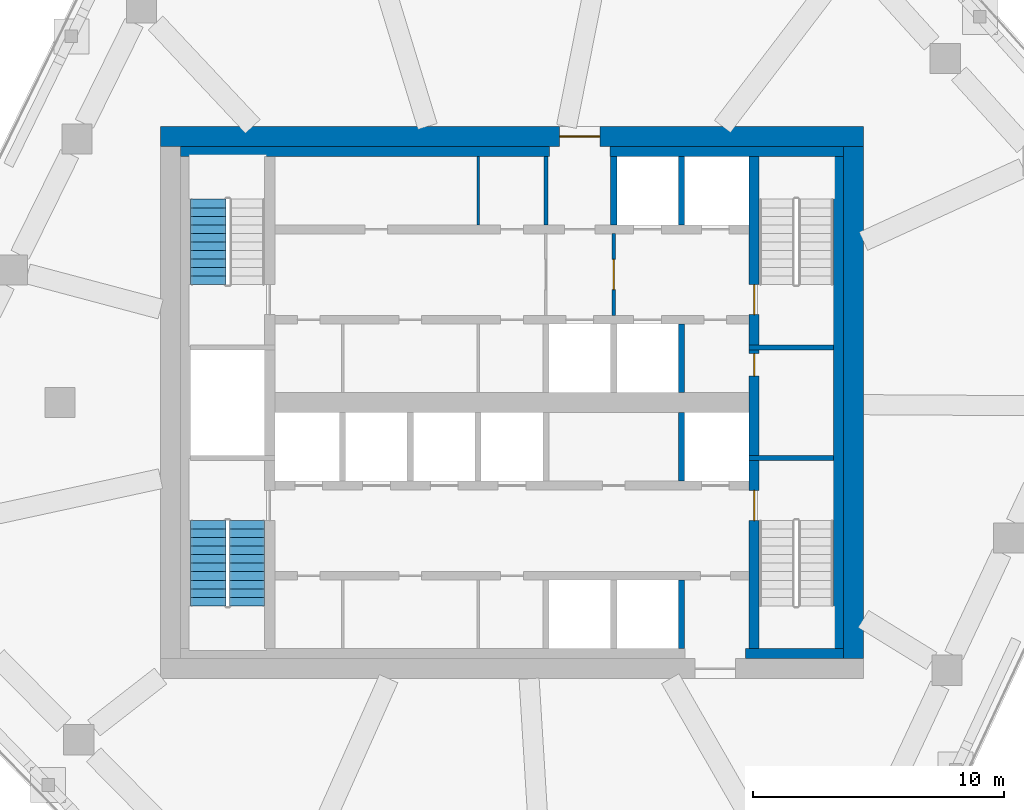
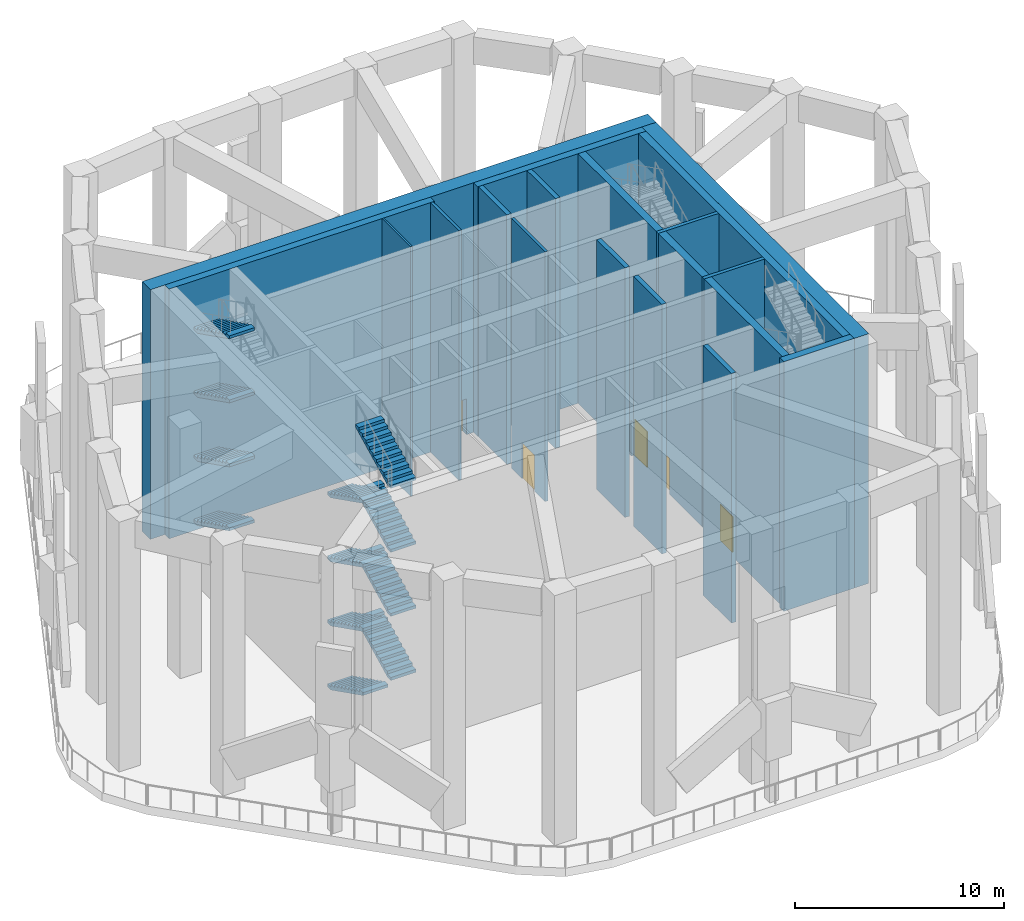
# One storey, part 4 of 12: 19 walls, 12 stair flights, 5 doors, 5 openings, 2 elements without a shape of their own.
"""IFC4 building model written with IfcOpenShell, lengths in metres."""

from ifc_helpers import new_model, si_unit, direction, frame, frame_2d, origin, place, context, subcontext, project, spatial, polyline, rectangle, outline, extrude, material, layer, layer_set, type_object, element, fill, aggregate, save


model = new_model("IFC4")

# Units and contexts
model_context = context("Model", 3, precision=1e-05, world=origin(), true_north=direction((0.0, 1.0)))
body_context = subcontext(model_context, "Body", "Model", "MODEL_VIEW")
ifc_project = project(units=[si_unit("LENGTHUNIT", "METRE"), si_unit("AREAUNIT", "SQUARE_METRE"), si_unit("VOLUMEUNIT", "CUBIC_METRE"), si_unit("PLANEANGLEUNIT", "RADIAN"), si_unit("MASSUNIT", "GRAM", prefix="KILO")], contexts=[model_context])

# Site, building, storey
site_placement = place(None, origin())
site = spatial("IfcSite", under=ifc_project, at=site_placement, CompositionType="ELEMENT")
building_placement = place(site_placement, origin())
building = spatial("IfcBuilding", under=site, at=building_placement, Name="Dongbaek Canopy Tower", CompositionType="ELEMENT")
storey_placement = place(building_placement, frame((0.0, 0.0, 183.800048828125)))
storey = spatial("IfcBuildingStorey", under=building, at=storey_placement, Name="L40", CompositionType="ELEMENT", Elevation=183.800048828125)

# Wall, opening, door
ifc_material_1 = material(Name="Concrete C70/85", Category="concrete")
ifc_layer_1 = layer(ifc_material_1, 0.800048828125)
ifc_layer_set_1 = layer_set([ifc_layer_1], Name="Core outer wall 800 Concrete C70/85")
wall_type_1 = type_object("IfcWallType", Name="Core outer wall 800 Concrete C70/85", PredefinedType="SHEAR", material=ifc_layer_set_1)
wall_1_placement = place(storey_placement, frame((-14.0, 10.60009765625, 0.0), z_axis=(0.0, 0.0, 1.0), x_axis=(1.0, 0.0, 0.0)))
wall_1 = element("IfcWall", 1, at=wall_1_placement, inside=storey, type_object=wall_type_1, Name="Core wall", PredefinedType="SHEAR", context=body_context, shape_type="SweptSolid", body=[
    extrude(rectangle(XDim=28.0, YDim=0.800048828125, at=frame_2d((14.0, 0.0))), origin(), (0.0, 0.0, 1.0), 14.619873046875),
])
opening_1_placement = place(wall_1_placement, frame((15.89990234375, 0.0, 0.0)))
opening_1 = element("IfcOpeningElement", 2, at=opening_1_placement, cuts=wall_1, Name="Opening L40-D002", PredefinedType="OPENING", context=body_context, shape_type="SweptSolid", body=[
    extrude(rectangle(XDim=1.60009765625, YDim=2.10009765625, at=frame_2d((0.800048828125, 1.050048828125))), frame((0.0, 0.409912109375, 0.0), z_axis=(0.0, -1.0, 0.0), x_axis=(1.0, 0.0, 0.0)), (0.0, 0.0, 1.0), 0.820068359375),
])
ifc_material_2 = material(Name="Steel", Category="steel")
door_type_1 = type_object("IfcDoorType", Name="Core exit door 1600 x 2100", OperationType="DOUBLE_DOOR_SINGLE_SWING", PredefinedType="DOOR", material=ifc_material_2)
door_1_placement = place(opening_1_placement, origin())
door_1 = element("IfcDoor", 3, at=door_1_placement, inside=storey, type_object=door_type_1, Name="Core exit door", OperationType="DOUBLE_DOOR_SINGLE_SWING", OverallHeight=2.10009765625, OverallWidth=1.60009765625, PredefinedType="DOOR", context=body_context, shape_type="SweptSolid", body=[
    extrude(rectangle(XDim=1.60009765625, YDim=2.10009765625, at=frame_2d((0.800048828125, 1.050048828125))), frame((0.0, 0.02490234375, 0.0), z_axis=(0.0, -1.0, 0.0), x_axis=(1.0, 0.0, 0.0)), (0.0, 0.0, 1.0), 0.050048828125),
])
fill(opening_1, door_1)

# Walls
wall_2_placement = place(storey_placement, frame((13.60009765625, 10.199951171875, 0.0), z_axis=(0.0, 0.0, 1.0), x_axis=(0.0, -1.0, 0.0)))
element("IfcWall", 4, at=wall_2_placement, inside=storey, type_object=wall_type_1, Name="Core wall", PredefinedType="SHEAR", context=body_context, shape_type="SweptSolid", body=[
    extrude(rectangle(XDim=20.39990234375, YDim=0.800048828125, at=frame_2d((10.199951171875, 0.0))), origin(), (0.0, 0.0, 1.0), 14.619873046875),
])
ifc_material_3 = material(Name="Concrete C60/75", Category="concrete")
ifc_layer_2 = layer(ifc_material_3, 0.39990234375)
ifc_layer_set_2 = layer_set([ifc_layer_2], Name="Core wall lining 400 Concrete C60/75")
wall_type_2 = type_object("IfcWallType", Name="Core wall lining 400 Concrete C60/75", PredefinedType="SHEAR", material=ifc_layer_set_2)
wall_3_placement = place(storey_placement, frame((-13.199951171875, 10.0, 0.0), z_axis=(0.0, 0.0, 1.0), x_axis=(1.0, 0.0, 0.0)))
element("IfcWall", 5, at=wall_3_placement, inside=storey, type_object=wall_type_2, Name="Core wall lining", PredefinedType="SHEAR", context=body_context, shape_type="SweptSolid", body=[
    extrude(rectangle(XDim=14.699951171875, YDim=0.39990234375, at=frame_2d((7.35009765625, 0.0))), origin(), (0.0, 0.0, 1.0), 14.619873046875),
])
wall_4_placement = place(storey_placement, frame((3.89990234375, 10.0, 0.0), z_axis=(0.0, 0.0, 1.0), x_axis=(1.0, 0.0, 0.0)))
element("IfcWall", 6, at=wall_4_placement, inside=storey, type_object=wall_type_2, Name="Core wall lining", PredefinedType="SHEAR", context=body_context, shape_type="SweptSolid", body=[
    extrude(rectangle(XDim=9.300048828125, YDim=0.39990234375, at=frame_2d((4.64990234375, 0.0))), origin(), (0.0, 0.0, 1.0), 14.619873046875),
])
wall_5_placement = place(storey_placement, frame((13.199951171875, -10.0, 0.0), z_axis=(0.0, 0.0, 1.0), x_axis=(-1.0, 0.0, 0.0)))
element("IfcWall", 7, at=wall_5_placement, inside=storey, type_object=wall_type_2, Name="Core wall lining", PredefinedType="SHEAR", context=body_context, shape_type="SweptSolid", body=[
    extrude(rectangle(XDim=3.89990234375, YDim=0.39990234375, at=frame_2d((1.949951171875, 0.0))), origin(), (0.0, 0.0, 1.0), 14.619873046875),
])
wall_6_placement = place(storey_placement, frame((13.0, 9.800048828125, 0.0), z_axis=(0.0, 0.0, 1.0), x_axis=(0.0, -1.0, 0.0)))
element("IfcWall", 8, at=wall_6_placement, inside=storey, type_object=wall_type_2, Name="Core wall lining", PredefinedType="SHEAR", context=body_context, shape_type="SweptSolid", body=[
    extrude(rectangle(XDim=19.60009765625, YDim=0.39990234375, at=frame_2d((9.800048828125, 0.0))), origin(), (0.0, 0.0, 1.0), 14.619873046875),
])

# Wall, opening, door
ifc_material_4 = material(Name="Gypsum board partition, steel stud, 2 x 15 mm fire board", Category="steel")
ifc_layer_3 = layer(ifc_material_4, 0.14990234375)
ifc_layer_set_3 = layer_set([ifc_layer_3], Name="Fire-rated partition 150 gypsum board")
wall_type_3 = type_object("IfcWallType", Name="Fire-rated partition 150 gypsum board", PredefinedType="PARTITIONING", material=ifc_layer_set_3)
wall_7_placement = place(storey_placement, frame((4.050048828125, 6.72509765625, 0.0), z_axis=(0.0, 0.0, 1.0), x_axis=(0.0, -1.0, 0.0)))
wall_7 = element("IfcWall", 9, at=wall_7_placement, inside=storey, type_object=wall_type_3, Name="Fire lobby partition", PredefinedType="PARTITIONING", context=body_context, shape_type="SweptSolid", body=[
    extrude(rectangle(XDim=3.25, YDim=0.14990234375, at=frame_2d((1.625, 0.0))), origin(), (0.0, 0.0, 1.0), 14.619873046875),
])
opening_2_placement = place(wall_7_placement, frame((1.02490234375, 0.0, 0.0)))
opening_2 = element("IfcOpeningElement", 10, at=opening_2_placement, cuts=wall_7, Name="Opening L40-D030", PredefinedType="OPENING", context=body_context, shape_type="SweptSolid", body=[
    extrude(rectangle(XDim=1.199951171875, YDim=2.10009765625, at=frame_2d((0.60009765625, 1.050048828125))), frame((0.0, 0.0849609375, 0.0), z_axis=(0.0, -1.0, 0.0), x_axis=(1.0, 0.0, 0.0)), (0.0, 0.0, 1.0), 0.169921875),
])
ifc_material_5 = material(Name="Steel", Category="steel")
door_type_2 = type_object("IfcDoorType", Name="Fire lobby door 1200 x 2100", OperationType="SINGLE_SWING_LEFT", PredefinedType="DOOR", material=ifc_material_5)
door_2_placement = place(opening_2_placement, origin())
door_2 = element("IfcDoor", 11, at=door_2_placement, inside=storey, type_object=door_type_2, Name="Door L40-D030", OperationType="SINGLE_SWING_RIGHT", OverallHeight=2.10009765625, OverallWidth=1.199951171875, PredefinedType="DOOR", context=body_context, shape_type="SweptSolid", body=[
    extrude(rectangle(XDim=1.199951171875, YDim=2.10009765625, at=frame_2d((0.60009765625, 1.050048828125))), frame((0.0, 0.02490234375, 0.0), z_axis=(0.0, -1.0, 0.0), x_axis=(1.0, 0.0, 0.0)), (0.0, 0.0, 1.0), 0.050048828125),
])
fill(opening_2, door_2)

# Walls
wall_8_placement = place(storey_placement, frame((1.35009765625, 7.074951171875, 0.0), z_axis=(0.0, 0.0, 1.0), x_axis=(0.0, 1.0, 0.0)))
element("IfcWall", 12, at=wall_8_placement, inside=storey, type_object=wall_type_3, Name="Fire lobby partition", PredefinedType="PARTITIONING", context=body_context, shape_type="SweptSolid", body=[
    extrude(rectangle(XDim=2.72509765625, YDim=0.14990234375, at=frame_2d((1.362548828125, 0.0))), origin(), (0.0, 0.0, 1.0), 14.619873046875),
])
ifc_material_6 = material(Name="Concrete C40/50", Category="concrete")
ifc_layer_4 = layer(ifc_material_6, 0.25)
ifc_layer_set_4 = layer_set([ifc_layer_4], Name="Lift shaft wall 250 Concrete C40/50")
wall_type_4 = type_object("IfcWallType", Name="Lift shaft wall 250 Concrete C40/50", PredefinedType="SOLIDWALL", material=ifc_layer_set_4)
for number, where, z_axis, x_axis, name in (
    (13, (6.75, -9.800048828125, 0.0), (0.0, 0.0, 1.0), (0.0, 1.0, 0.0), "Lift shaft wall"),
    (14, (6.75, -3.125, 0.0), (0.0, 0.0, 1.0), (0.0, 1.0, 0.0), "Lift shaft wall"),
    (15, (6.75, 0.39990234375, 0.0), (0.0, 0.0, 1.0), (0.0, 1.0, 0.0), "Lift shaft wall"),
    (16, (6.75, 7.074951171875, 0.0), (0.0, 0.0, 1.0), (0.0, 1.0, 0.0), "Lift shaft wall"),
    (17, (4.050048828125, 7.074951171875, 0.0), (0.0, 0.0, 1.0), (0.0, 1.0, 0.0), "Lift shaft wall"),
):
    element("IfcWall", number, at=place(storey_placement, frame(where, z_axis=z_axis, x_axis=x_axis)), inside=storey, type_object=wall_type_4, Name=name, PredefinedType="SOLIDWALL", context=body_context, shape_type="SweptSolid", body=[
        extrude(rectangle(XDim=2.72509765625, YDim=0.25, at=frame_2d((1.362548828125, 0.0))), origin(), (0.0, 0.0, 1.0), 14.619873046875),
    ])
ifc_material_7 = material(Name="Gypsum board partition, steel stud, 2 x 12.5 mm board", Category="steel")
ifc_layer_5 = layer(ifc_material_7, 0.10009765625)
ifc_layer_set_5 = layer_set([ifc_layer_5], Name="Partition 100 gypsum board")
wall_type_5 = type_object("IfcWallType", Name="Partition 100 gypsum board", PredefinedType="PARTITIONING", material=ifc_layer_set_5)
wall_9_placement = place(storey_placement, frame((-1.35009765625, 7.074951171875, 0.0), z_axis=(0.0, 0.0, 1.0), x_axis=(0.0, 1.0, 0.0)))
element("IfcWall", 18, at=wall_9_placement, inside=storey, type_object=wall_type_5, Name="Core partition", PredefinedType="PARTITIONING", context=body_context, shape_type="SweptSolid", body=[
    extrude(rectangle(XDim=2.72509765625, YDim=0.10009765625, at=frame_2d((1.362548828125, 0.0))), origin(), (0.0, 0.0, 1.0), 14.619873046875),
])
ifc_material_8 = material(Name="Concrete C60/75", Category="concrete")
ifc_layer_6 = layer(ifc_material_8, 0.199951171875)
ifc_layer_set_6 = layer_set([ifc_layer_6], Name="Riser wall 200 Concrete C60/75")
wall_type_6 = type_object("IfcWallType", Name="Riser wall 200 Concrete C60/75", PredefinedType="SHEAR", material=ifc_layer_set_6)
for number, where, z_axis, x_axis, name in (
    (19, (9.449951171875, 2.199951171875, 0.0), (0.0, 0.0, 1.0), (1.0, 0.0, 0.0), "Riser wall"),
    (20, (9.449951171875, -2.199951171875, 0.0), (0.0, 0.0, 1.0), (1.0, 0.0, 0.0), "Riser wall"),
):
    element("IfcWall", number, at=place(storey_placement, frame(where, z_axis=z_axis, x_axis=x_axis)), inside=storey, type_object=wall_type_6, Name=name, PredefinedType="SHEAR", context=body_context, shape_type="SweptSolid", body=[
        extrude(rectangle(XDim=3.35009765625, YDim=0.199951171875, at=frame_2d((1.675048828125, 0.0))), origin(), (0.0, 0.0, 1.0), 14.619873046875),
    ])

# Wall, opening, door
ifc_material_9 = material(Name="Concrete C60/75", Category="concrete")
ifc_layer_7 = layer(ifc_material_9, 0.39990234375)
ifc_layer_set_7 = layer_set([ifc_layer_7], Name="Stair wall 400 Concrete C60/75")
wall_type_7 = type_object("IfcWallType", Name="Stair wall 400 Concrete C60/75", PredefinedType="SHEAR", material=ifc_layer_set_7)
wall_10_placement = place(storey_placement, frame((9.64990234375, -2.300048828125, 0.0), z_axis=(0.0, 0.0, 1.0), x_axis=(0.0, -1.0, 0.0)))
wall_10 = element("IfcWall", 21, at=wall_10_placement, inside=storey, type_object=wall_type_7, Name="Stair wall", PredefinedType="SHEAR", context=body_context, shape_type="SweptSolid", body=[
    extrude(rectangle(XDim=7.5, YDim=0.39990234375, at=frame_2d((3.75, 0.0))), origin(), (0.0, 0.0, 1.0), 14.619873046875),
])
opening_3_placement = place(wall_10_placement, frame((1.199951171875, 0.0, 0.0)))
opening_3 = element("IfcOpeningElement", 22, at=opening_3_placement, cuts=wall_10, Name="Opening L40-D027", PredefinedType="OPENING", context=body_context, shape_type="SweptSolid", body=[
    extrude(rectangle(XDim=1.199951171875, YDim=2.10009765625, at=frame_2d((0.60009765625, 1.050048828125))), frame((0.0, 0.2099609375, 0.0), z_axis=(0.0, -1.0, 0.0), x_axis=(1.0, 0.0, 0.0)), (0.0, 0.0, 1.0), 0.419921875),
])
ifc_material_10 = material(Name="Steel", Category="steel")
door_type_3 = type_object("IfcDoorType", Name="Stair door 1200 x 2100", OperationType="SINGLE_SWING_LEFT", PredefinedType="DOOR", material=ifc_material_10)
door_3_placement = place(opening_3_placement, origin())
door_3 = element("IfcDoor", 23, at=door_3_placement, inside=storey, type_object=door_type_3, Name="Stair B door", OperationType="SINGLE_SWING_RIGHT", OverallHeight=2.10009765625, OverallWidth=1.199951171875, PredefinedType="DOOR", context=body_context, shape_type="SweptSolid", body=[
    extrude(rectangle(XDim=1.199951171875, YDim=2.10009765625, at=frame_2d((0.60009765625, 1.050048828125))), frame((0.0, 0.02490234375, 0.0), z_axis=(0.0, -1.0, 0.0), x_axis=(1.0, 0.0, 0.0)), (0.0, 0.0, 1.0), 0.050048828125),
])
fill(opening_3, door_3)

wall_11_placement = place(storey_placement, frame((9.64990234375, 2.10009765625, 0.0), z_axis=(0.0, 0.0, 1.0), x_axis=(0.0, -1.0, 0.0)))
wall_11 = element("IfcWall", 24, at=wall_11_placement, inside=storey, type_object=wall_type_7, Name="Stair wall", PredefinedType="SHEAR", context=body_context, shape_type="SweptSolid", body=[
    extrude(rectangle(XDim=4.2001953125, YDim=0.39990234375, at=frame_2d((2.10009765625, 0.0))), origin(), (0.0, 0.0, 1.0), 14.619873046875),
])
opening_4_placement = place(wall_11_placement, frame((0.14990234375, 0.0, 0.0)))
opening_4 = element("IfcOpeningElement", 25, at=opening_4_placement, cuts=wall_11, Name="Opening L40-D001", PredefinedType="OPENING", context=body_context, shape_type="SweptSolid", body=[
    extrude(rectangle(XDim=0.89990234375, YDim=2.10009765625, at=frame_2d((0.449951171875, 1.050048828125))), frame((0.0, 0.2099609375, 0.0), z_axis=(0.0, -1.0, 0.0), x_axis=(1.0, 0.0, 0.0)), (0.0, 0.0, 1.0), 0.419921875),
])
ifc_material_11 = material(Name="Steel", Category="steel")
door_type_4 = type_object("IfcDoorType", Name="Core room door 900 x 2100", OperationType="SINGLE_SWING_LEFT", PredefinedType="DOOR", material=ifc_material_11)
door_4_placement = place(opening_4_placement, origin())
door_4 = element("IfcDoor", 26, at=door_4_placement, inside=storey, type_object=door_type_4, Name="Door L40-D001", OperationType="SINGLE_SWING_RIGHT", OverallHeight=2.10009765625, OverallWidth=0.89990234375, PredefinedType="DOOR", context=body_context, shape_type="SweptSolid", body=[
    extrude(rectangle(XDim=0.89990234375, YDim=2.10009765625, at=frame_2d((0.449951171875, 1.050048828125))), frame((0.0, 0.02490234375, 0.0), z_axis=(0.0, -1.0, 0.0), x_axis=(1.0, 0.0, 0.0)), (0.0, 0.0, 1.0), 0.050048828125),
])
fill(opening_4, door_4)

wall_12_placement = place(storey_placement, frame((9.64990234375, 9.800048828125, 0.0), z_axis=(0.0, 0.0, 1.0), x_axis=(0.0, -1.0, 0.0)))
wall_12 = element("IfcWall", 27, at=wall_12_placement, inside=storey, type_object=wall_type_7, Name="Stair wall", PredefinedType="SHEAR", context=body_context, shape_type="SweptSolid", body=[
    extrude(rectangle(XDim=7.5, YDim=0.39990234375, at=frame_2d((3.75, 0.0))), origin(), (0.0, 0.0, 1.0), 14.619873046875),
])
opening_5_placement = place(wall_12_placement, frame((5.10009765625, 0.0, 0.0)))
opening_5 = element("IfcOpeningElement", 28, at=opening_5_placement, cuts=wall_12, Name="Opening L40-D025", PredefinedType="OPENING", context=body_context, shape_type="SweptSolid", body=[
    extrude(rectangle(XDim=1.199951171875, YDim=2.10009765625, at=frame_2d((0.60009765625, 1.050048828125))), frame((0.0, 0.2099609375, 0.0), z_axis=(0.0, -1.0, 0.0), x_axis=(1.0, 0.0, 0.0)), (0.0, 0.0, 1.0), 0.419921875),
])
door_5_placement = place(opening_5_placement, origin())
door_5 = element("IfcDoor", 29, at=door_5_placement, inside=storey, type_object=door_type_3, Name="Stair A door", OperationType="SINGLE_SWING_LEFT", OverallHeight=2.10009765625, OverallWidth=1.199951171875, PredefinedType="DOOR", context=body_context, shape_type="SweptSolid", body=[
    extrude(rectangle(XDim=1.199951171875, YDim=2.10009765625, at=frame_2d((0.60009765625, 1.050048828125))), frame((0.0, 0.02490234375, 0.0), z_axis=(0.0, -1.0, 0.0), x_axis=(1.0, 0.0, 0.0)), (0.0, 0.0, 1.0), 0.050048828125),
])
fill(opening_5, door_5)

# Stair, stair flights
ifc_material_12 = material(Name="Concrete C40/50", Category="concrete")
stair_type = type_object("IfcStairType", Name="Core exit stair", PredefinedType="HALF_TURN_STAIR", material=ifc_material_12)
stair_1_placement = place(storey_placement, origin())
stair_1 = element("IfcStair", 30, at=stair_1_placement, inside=storey, type_object=stair_type, Name="L40 exit stair C", PredefinedType="HALF_TURN_STAIR")
ifc_material_13 = material(Name="Concrete C40/50", Category="concrete")
ifc_layer_8 = layer(ifc_material_13, 0.14990234375)
ifc_layer_set_8 = layer_set([ifc_layer_8], Name="Core stair flight 150 waist")
stair_flight_type = type_object("IfcStairFlightType", Name="Core stair flight 150 waist", PredefinedType="STRAIGHT", material=ifc_layer_set_8)
stair_flight_1_placement = place(storey_placement, frame((-12.10009765625, 8.10009765625, 1.875), z_axis=(0.0, 0.0, 1.0), x_axis=(0.0, -1.0, 0.0)))
stair_flight_1 = element("IfcStairFlight", 31, at=stair_flight_1_placement, type_object=stair_flight_type, Name="ST-C flight 2", NumberOfRisers=11, NumberOfTreads=10, PredefinedType="STRAIGHT", RiserHeight=0.170454545, TreadLength=0.34, context=body_context, shape_type="SweptSolid", body=[
    extrude(outline(polyline([(0.0, 0.0), (0.0, 0.17041015625), (0.340087890625, 0.17041015625), (0.340087890625, 0.3408203125), (0.679931640625, 0.3408203125), (0.679931640625, 0.511474609375), (1.02001953125, 0.511474609375), (1.02001953125, 0.681884765625), (1.360107421875, 0.681884765625), (1.360107421875, 0.852294921875), (1.699951171875, 0.852294921875), (1.699951171875, 1.022705078125), (2.0400390625, 1.022705078125), (2.0400390625, 1.193115234375), (2.3798828125, 1.193115234375), (2.3798828125, 1.363525390625), (2.719970703125, 1.363525390625), (2.719970703125, 1.5341796875), (3.06005859375, 1.5341796875), (3.06005859375, 1.70458984375), (3.39990234375, 1.70458984375), (3.39990234375, 1.875), (3.39990234375, 1.536865234375), (0.33447265625, 0.0), (0.0, 0.0)])), frame((0.0, 0.699951171875, 0.0), z_axis=(0.0, -1.0, 0.0), x_axis=(1.0, 0.0, 0.0)), (0.0, 0.0, 1.0), 1.39990234375),
])
stair_flight_2_placement = place(storey_placement, frame((-12.10009765625, 8.10009765625, 5.625), z_axis=(0.0, 0.0, 1.0), x_axis=(0.0, -1.0, 0.0)))
stair_flight_2 = element("IfcStairFlight", 32, at=stair_flight_2_placement, type_object=stair_flight_type, Name="ST-C flight 4", NumberOfRisers=11, NumberOfTreads=10, PredefinedType="STRAIGHT", RiserHeight=0.170454545, TreadLength=0.34, context=body_context, shape_type="SweptSolid", body=[
    extrude(outline(polyline([(0.0, 0.0), (0.0, 0.17041015625), (0.340087890625, 0.17041015625), (0.340087890625, 0.3408203125), (0.679931640625, 0.3408203125), (0.679931640625, 0.511474609375), (1.02001953125, 0.511474609375), (1.02001953125, 0.681884765625), (1.360107421875, 0.681884765625), (1.360107421875, 0.852294921875), (1.699951171875, 0.852294921875), (1.699951171875, 1.022705078125), (2.0400390625, 1.022705078125), (2.0400390625, 1.193115234375), (2.3798828125, 1.193115234375), (2.3798828125, 1.363525390625), (2.719970703125, 1.363525390625), (2.719970703125, 1.5341796875), (3.06005859375, 1.5341796875), (3.06005859375, 1.70458984375), (3.39990234375, 1.70458984375), (3.39990234375, 1.875), (3.39990234375, 1.536865234375), (0.33447265625, 0.0), (0.0, 0.0)])), frame((0.0, 0.699951171875, 0.0), z_axis=(0.0, -1.0, 0.0), x_axis=(1.0, 0.0, 0.0)), (0.0, 0.0, 1.0), 1.39990234375),
])
stair_flight_3_placement = place(storey_placement, frame((-12.10009765625, 8.10009765625, 9.375), z_axis=(0.0, 0.0, 1.0), x_axis=(0.0, -1.0, 0.0)))
stair_flight_3 = element("IfcStairFlight", 33, at=stair_flight_3_placement, type_object=stair_flight_type, Name="ST-C flight 6", NumberOfRisers=11, NumberOfTreads=10, PredefinedType="STRAIGHT", RiserHeight=0.170454545, TreadLength=0.34, context=body_context, shape_type="SweptSolid", body=[
    extrude(outline(polyline([(0.0, 0.0), (0.0, 0.17041015625), (0.340087890625, 0.17041015625), (0.340087890625, 0.3408203125), (0.679931640625, 0.3408203125), (0.679931640625, 0.511474609375), (1.02001953125, 0.511474609375), (1.02001953125, 0.681884765625), (1.360107421875, 0.681884765625), (1.360107421875, 0.852294921875), (1.699951171875, 0.852294921875), (1.699951171875, 1.022705078125), (2.0400390625, 1.022705078125), (2.0400390625, 1.193115234375), (2.3798828125, 1.193115234375), (2.3798828125, 1.363525390625), (2.719970703125, 1.363525390625), (2.719970703125, 1.5341796875), (3.06005859375, 1.5341796875), (3.06005859375, 1.70458984375), (3.39990234375, 1.70458984375), (3.39990234375, 1.875), (3.39990234375, 1.536865234375), (0.33447265625, 0.0), (0.0, 0.0)])), frame((0.0, 0.699951171875, 0.0), z_axis=(0.0, -1.0, 0.0), x_axis=(1.0, 0.0, 0.0)), (0.0, 0.0, 1.0), 1.39990234375),
])
stair_flight_4_placement = place(storey_placement, frame((-12.10009765625, 8.10009765625, 13.125), z_axis=(0.0, 0.0, 1.0), x_axis=(0.0, -1.0, 0.0)))
stair_flight_4 = element("IfcStairFlight", 34, at=stair_flight_4_placement, type_object=stair_flight_type, Name="ST-C flight 8", NumberOfRisers=11, NumberOfTreads=10, PredefinedType="STRAIGHT", RiserHeight=0.170454545, TreadLength=0.34, context=body_context, shape_type="SweptSolid", body=[
    extrude(outline(polyline([(0.0, 0.0), (0.0, 0.17041015625), (0.340087890625, 0.17041015625), (0.340087890625, 0.3408203125), (0.679931640625, 0.3408203125), (0.679931640625, 0.511474609375), (1.02001953125, 0.511474609375), (1.02001953125, 0.681884765625), (1.360107421875, 0.681884765625), (1.360107421875, 0.852294921875), (1.699951171875, 0.852294921875), (1.699951171875, 1.022705078125), (2.0400390625, 1.022705078125), (2.0400390625, 1.193115234375), (2.3798828125, 1.193115234375), (2.3798828125, 1.363525390625), (2.719970703125, 1.363525390625), (2.719970703125, 1.5341796875), (3.06005859375, 1.5341796875), (3.06005859375, 1.70458984375), (3.39990234375, 1.70458984375), (3.39990234375, 1.875), (3.39990234375, 1.536865234375), (0.33447265625, 0.0), (0.0, 0.0)])), frame((0.0, 0.699951171875, 0.0), z_axis=(0.0, -1.0, 0.0), x_axis=(1.0, 0.0, 0.0)), (0.0, 0.0, 1.0), 1.39990234375),
])
aggregate(stair_1, [stair_flight_1, stair_flight_2, stair_flight_3, stair_flight_4])

stair_2_placement = place(storey_placement, origin())
stair_2 = element("IfcStair", 35, at=stair_2_placement, inside=storey, type_object=stair_type, Name="L40 exit stair D", PredefinedType="HALF_TURN_STAIR")
stair_flight_5_placement = place(storey_placement, frame((-12.10009765625, -4.699951171875, 0.0), z_axis=(0.0, 0.0, 1.0), x_axis=(0.0, -1.0, 0.0)))
stair_flight_5 = element("IfcStairFlight", 36, at=stair_flight_5_placement, type_object=stair_flight_type, Name="ST-D flight 1", NumberOfRisers=11, NumberOfTreads=10, PredefinedType="STRAIGHT", RiserHeight=0.170454545, TreadLength=0.34, context=body_context, shape_type="SweptSolid", body=[
    extrude(outline(polyline([(0.0, 0.0), (0.0, 0.17041015625), (0.340087890625, 0.17041015625), (0.340087890625, 0.3408203125), (0.679931640625, 0.3408203125), (0.679931640625, 0.511474609375), (1.02001953125, 0.511474609375), (1.02001953125, 0.681884765625), (1.360107421875, 0.681884765625), (1.360107421875, 0.852294921875), (1.699951171875, 0.852294921875), (1.699951171875, 1.022705078125), (2.0400390625, 1.022705078125), (2.0400390625, 1.193115234375), (2.3798828125, 1.193115234375), (2.3798828125, 1.363525390625), (2.719970703125, 1.363525390625), (2.719970703125, 1.5341796875), (3.06005859375, 1.5341796875), (3.06005859375, 1.70458984375), (3.39990234375, 1.70458984375), (3.39990234375, 1.875), (3.39990234375, 1.536865234375), (0.33447265625, 0.0), (0.0, 0.0)])), frame((0.0, 0.699951171875, 0.0), z_axis=(0.0, -1.0, 0.0), x_axis=(1.0, 0.0, 0.0)), (0.0, 0.0, 1.0), 1.39990234375),
])
stair_flight_6_placement = place(storey_placement, frame((-10.550048828125, -8.10009765625, 1.875), z_axis=(0.0, 0.0, 1.0), x_axis=(0.0, 1.0, 0.0)))
stair_flight_6 = element("IfcStairFlight", 37, at=stair_flight_6_placement, type_object=stair_flight_type, Name="ST-D flight 2", NumberOfRisers=11, NumberOfTreads=10, PredefinedType="STRAIGHT", RiserHeight=0.170454545, TreadLength=0.34, context=body_context, shape_type="SweptSolid", body=[
    extrude(outline(polyline([(0.0, 0.0), (0.0, 0.17041015625), (0.340087890625, 0.17041015625), (0.340087890625, 0.3408203125), (0.679931640625, 0.3408203125), (0.679931640625, 0.511474609375), (1.02001953125, 0.511474609375), (1.02001953125, 0.681884765625), (1.360107421875, 0.681884765625), (1.360107421875, 0.852294921875), (1.699951171875, 0.852294921875), (1.699951171875, 1.022705078125), (2.0400390625, 1.022705078125), (2.0400390625, 1.193115234375), (2.3798828125, 1.193115234375), (2.3798828125, 1.363525390625), (2.719970703125, 1.363525390625), (2.719970703125, 1.5341796875), (3.06005859375, 1.5341796875), (3.06005859375, 1.70458984375), (3.39990234375, 1.70458984375), (3.39990234375, 1.875), (3.39990234375, 1.536865234375), (0.33447265625, 0.0), (0.0, 0.0)])), frame((0.0, 0.699951171875, 0.0), z_axis=(0.0, -1.0, 0.0), x_axis=(1.0, 0.0, 0.0)), (0.0, 0.0, 1.0), 1.39990234375),
])
stair_flight_7_placement = place(storey_placement, frame((-12.10009765625, -4.699951171875, 3.75), z_axis=(0.0, 0.0, 1.0), x_axis=(0.0, -1.0, 0.0)))
stair_flight_7 = element("IfcStairFlight", 38, at=stair_flight_7_placement, type_object=stair_flight_type, Name="ST-D flight 3", NumberOfRisers=11, NumberOfTreads=10, PredefinedType="STRAIGHT", RiserHeight=0.170454545, TreadLength=0.34, context=body_context, shape_type="SweptSolid", body=[
    extrude(outline(polyline([(0.0, 0.0), (0.0, 0.17041015625), (0.340087890625, 0.17041015625), (0.340087890625, 0.3408203125), (0.679931640625, 0.3408203125), (0.679931640625, 0.511474609375), (1.02001953125, 0.511474609375), (1.02001953125, 0.681884765625), (1.360107421875, 0.681884765625), (1.360107421875, 0.852294921875), (1.699951171875, 0.852294921875), (1.699951171875, 1.022705078125), (2.0400390625, 1.022705078125), (2.0400390625, 1.193115234375), (2.3798828125, 1.193115234375), (2.3798828125, 1.363525390625), (2.719970703125, 1.363525390625), (2.719970703125, 1.5341796875), (3.06005859375, 1.5341796875), (3.06005859375, 1.70458984375), (3.39990234375, 1.70458984375), (3.39990234375, 1.875), (3.39990234375, 1.536865234375), (0.33447265625, 0.0), (0.0, 0.0)])), frame((0.0, 0.699951171875, 0.0), z_axis=(0.0, -1.0, 0.0), x_axis=(1.0, 0.0, 0.0)), (0.0, 0.0, 1.0), 1.39990234375),
])
stair_flight_8_placement = place(storey_placement, frame((-10.550048828125, -8.10009765625, 5.625), z_axis=(0.0, 0.0, 1.0), x_axis=(0.0, 1.0, 0.0)))
stair_flight_8 = element("IfcStairFlight", 39, at=stair_flight_8_placement, type_object=stair_flight_type, Name="ST-D flight 4", NumberOfRisers=11, NumberOfTreads=10, PredefinedType="STRAIGHT", RiserHeight=0.170454545, TreadLength=0.34, context=body_context, shape_type="SweptSolid", body=[
    extrude(outline(polyline([(0.0, 0.0), (0.0, 0.17041015625), (0.340087890625, 0.17041015625), (0.340087890625, 0.3408203125), (0.679931640625, 0.3408203125), (0.679931640625, 0.511474609375), (1.02001953125, 0.511474609375), (1.02001953125, 0.681884765625), (1.360107421875, 0.681884765625), (1.360107421875, 0.852294921875), (1.699951171875, 0.852294921875), (1.699951171875, 1.022705078125), (2.0400390625, 1.022705078125), (2.0400390625, 1.193115234375), (2.3798828125, 1.193115234375), (2.3798828125, 1.363525390625), (2.719970703125, 1.363525390625), (2.719970703125, 1.5341796875), (3.06005859375, 1.5341796875), (3.06005859375, 1.70458984375), (3.39990234375, 1.70458984375), (3.39990234375, 1.875), (3.39990234375, 1.536865234375), (0.33447265625, 0.0), (0.0, 0.0)])), frame((0.0, 0.699951171875, 0.0), z_axis=(0.0, -1.0, 0.0), x_axis=(1.0, 0.0, 0.0)), (0.0, 0.0, 1.0), 1.39990234375),
])
stair_flight_9_placement = place(storey_placement, frame((-12.10009765625, -4.699951171875, 7.5), z_axis=(0.0, 0.0, 1.0), x_axis=(0.0, -1.0, 0.0)))
stair_flight_9 = element("IfcStairFlight", 40, at=stair_flight_9_placement, type_object=stair_flight_type, Name="ST-D flight 5", NumberOfRisers=11, NumberOfTreads=10, PredefinedType="STRAIGHT", RiserHeight=0.170454545, TreadLength=0.34, context=body_context, shape_type="SweptSolid", body=[
    extrude(outline(polyline([(0.0, 0.0), (0.0, 0.17041015625), (0.340087890625, 0.17041015625), (0.340087890625, 0.3408203125), (0.679931640625, 0.3408203125), (0.679931640625, 0.511474609375), (1.02001953125, 0.511474609375), (1.02001953125, 0.681884765625), (1.360107421875, 0.681884765625), (1.360107421875, 0.852294921875), (1.699951171875, 0.852294921875), (1.699951171875, 1.022705078125), (2.0400390625, 1.022705078125), (2.0400390625, 1.193115234375), (2.3798828125, 1.193115234375), (2.3798828125, 1.363525390625), (2.719970703125, 1.363525390625), (2.719970703125, 1.5341796875), (3.06005859375, 1.5341796875), (3.06005859375, 1.70458984375), (3.39990234375, 1.70458984375), (3.39990234375, 1.875), (3.39990234375, 1.536865234375), (0.33447265625, 0.0), (0.0, 0.0)])), frame((0.0, 0.699951171875, 0.0), z_axis=(0.0, -1.0, 0.0), x_axis=(1.0, 0.0, 0.0)), (0.0, 0.0, 1.0), 1.39990234375),
])
stair_flight_10_placement = place(storey_placement, frame((-10.550048828125, -8.10009765625, 9.375), z_axis=(0.0, 0.0, 1.0), x_axis=(0.0, 1.0, 0.0)))
stair_flight_10 = element("IfcStairFlight", 41, at=stair_flight_10_placement, type_object=stair_flight_type, Name="ST-D flight 6", NumberOfRisers=11, NumberOfTreads=10, PredefinedType="STRAIGHT", RiserHeight=0.170454545, TreadLength=0.34, context=body_context, shape_type="SweptSolid", body=[
    extrude(outline(polyline([(0.0, 0.0), (0.0, 0.17041015625), (0.340087890625, 0.17041015625), (0.340087890625, 0.3408203125), (0.679931640625, 0.3408203125), (0.679931640625, 0.511474609375), (1.02001953125, 0.511474609375), (1.02001953125, 0.681884765625), (1.360107421875, 0.681884765625), (1.360107421875, 0.852294921875), (1.699951171875, 0.852294921875), (1.699951171875, 1.022705078125), (2.0400390625, 1.022705078125), (2.0400390625, 1.193115234375), (2.3798828125, 1.193115234375), (2.3798828125, 1.363525390625), (2.719970703125, 1.363525390625), (2.719970703125, 1.5341796875), (3.06005859375, 1.5341796875), (3.06005859375, 1.70458984375), (3.39990234375, 1.70458984375), (3.39990234375, 1.875), (3.39990234375, 1.536865234375), (0.33447265625, 0.0), (0.0, 0.0)])), frame((0.0, 0.699951171875, 0.0), z_axis=(0.0, -1.0, 0.0), x_axis=(1.0, 0.0, 0.0)), (0.0, 0.0, 1.0), 1.39990234375),
])
stair_flight_11_placement = place(storey_placement, frame((-12.10009765625, -4.699951171875, 11.25), z_axis=(0.0, 0.0, 1.0), x_axis=(0.0, -1.0, 0.0)))
stair_flight_11 = element("IfcStairFlight", 42, at=stair_flight_11_placement, type_object=stair_flight_type, Name="ST-D flight 7", NumberOfRisers=11, NumberOfTreads=10, PredefinedType="STRAIGHT", RiserHeight=0.170454545, TreadLength=0.34, context=body_context, shape_type="SweptSolid", body=[
    extrude(outline(polyline([(0.0, 0.0), (0.0, 0.17041015625), (0.340087890625, 0.17041015625), (0.340087890625, 0.3408203125), (0.679931640625, 0.3408203125), (0.679931640625, 0.511474609375), (1.02001953125, 0.511474609375), (1.02001953125, 0.681884765625), (1.360107421875, 0.681884765625), (1.360107421875, 0.852294921875), (1.699951171875, 0.852294921875), (1.699951171875, 1.022705078125), (2.0400390625, 1.022705078125), (2.0400390625, 1.193115234375), (2.3798828125, 1.193115234375), (2.3798828125, 1.363525390625), (2.719970703125, 1.363525390625), (2.719970703125, 1.5341796875), (3.06005859375, 1.5341796875), (3.06005859375, 1.70458984375), (3.39990234375, 1.70458984375), (3.39990234375, 1.875), (3.39990234375, 1.536865234375), (0.33447265625, 0.0), (0.0, 0.0)])), frame((0.0, 0.699951171875, 0.0), z_axis=(0.0, -1.0, 0.0), x_axis=(1.0, 0.0, 0.0)), (0.0, 0.0, 1.0), 1.39990234375),
])
stair_flight_12_placement = place(storey_placement, frame((-10.550048828125, -8.10009765625, 13.125), z_axis=(0.0, 0.0, 1.0), x_axis=(0.0, 1.0, 0.0)))
stair_flight_12 = element("IfcStairFlight", 43, at=stair_flight_12_placement, type_object=stair_flight_type, Name="ST-D flight 8", NumberOfRisers=11, NumberOfTreads=10, PredefinedType="STRAIGHT", RiserHeight=0.170454545, TreadLength=0.34, context=body_context, shape_type="SweptSolid", body=[
    extrude(outline(polyline([(0.0, 0.0), (0.0, 0.17041015625), (0.340087890625, 0.17041015625), (0.340087890625, 0.3408203125), (0.679931640625, 0.3408203125), (0.679931640625, 0.511474609375), (1.02001953125, 0.511474609375), (1.02001953125, 0.681884765625), (1.360107421875, 0.681884765625), (1.360107421875, 0.852294921875), (1.699951171875, 0.852294921875), (1.699951171875, 1.022705078125), (2.0400390625, 1.022705078125), (2.0400390625, 1.193115234375), (2.3798828125, 1.193115234375), (2.3798828125, 1.363525390625), (2.719970703125, 1.363525390625), (2.719970703125, 1.5341796875), (3.06005859375, 1.5341796875), (3.06005859375, 1.70458984375), (3.39990234375, 1.70458984375), (3.39990234375, 1.875), (3.39990234375, 1.536865234375), (0.33447265625, 0.0), (0.0, 0.0)])), frame((0.0, 0.699951171875, 0.0), z_axis=(0.0, -1.0, 0.0), x_axis=(1.0, 0.0, 0.0)), (0.0, 0.0, 1.0), 1.39990234375),
])
aggregate(stair_2, [stair_flight_5, stair_flight_6, stair_flight_7, stair_flight_8, stair_flight_9, stair_flight_10, stair_flight_11, stair_flight_12])

save(model, "model.ifc")
